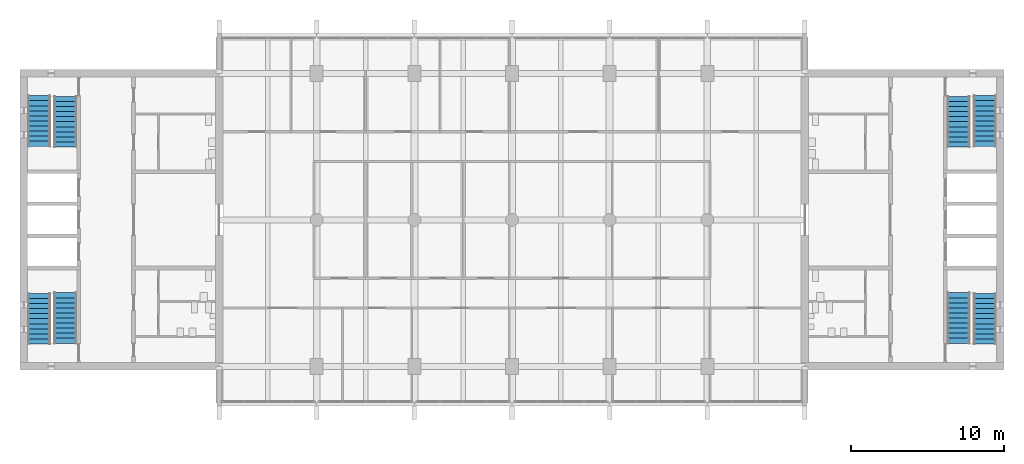
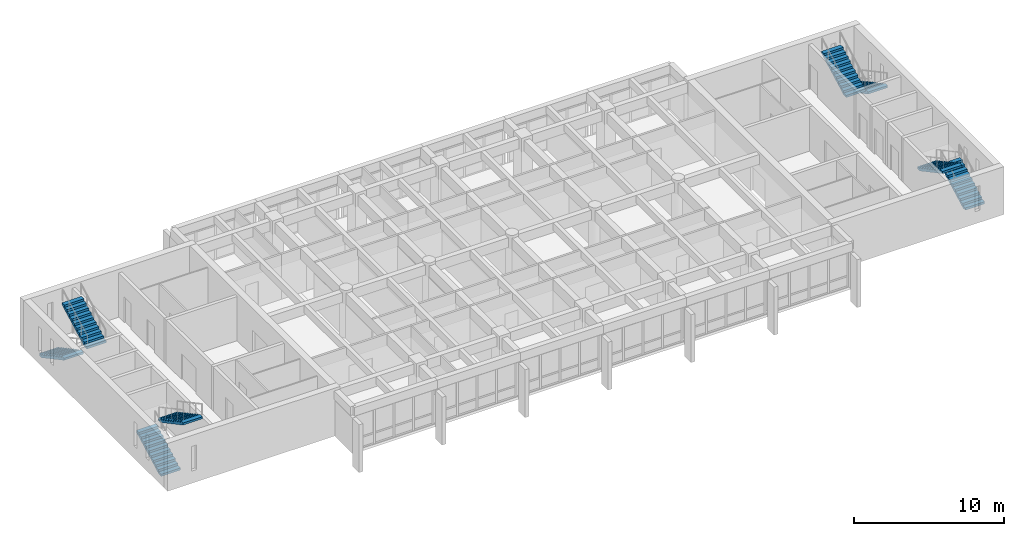
# One storey, part 13 of 15: 8 stair flights, 4 elements without a shape of their own.
"""IFC4 building model written with IfcOpenShell, lengths in metres."""

from ifc_helpers import new_model, si_unit, direction, frame, origin, place, context, subcontext, project, spatial, polyline, outline, extrude, material, type_object, element, aggregate, save


model = new_model("IFC4")

# Units and contexts
model_context = context("Model", 3, precision=1e-05, world=origin(), true_north=direction((0.0, 1.0)))
body_context = subcontext(model_context, "Body", "Model", "MODEL_VIEW")
ifc_project = project(units=[si_unit("LENGTHUNIT", "METRE"), si_unit("AREAUNIT", "SQUARE_METRE"), si_unit("VOLUMEUNIT", "CUBIC_METRE"), si_unit("PLANEANGLEUNIT", "RADIAN"), si_unit("MASSUNIT", "GRAM", prefix="KILO")], contexts=[model_context])

# Site, building, storey
site_placement = place(None, origin())
site = spatial("IfcSite", under=ifc_project, at=site_placement, CompositionType="ELEMENT")
building_placement = place(site_placement, origin())
building = spatial("IfcBuilding", under=site, at=building_placement, Name="Fogon Plaza Fire Station and Headquarters Tower", CompositionType="ELEMENT")
storey_placement = place(building_placement, frame((0.0, 0.0, 52.199951171875)))
storey = spatial("IfcBuildingStorey", under=building, at=storey_placement, Name="L13", CompositionType="ELEMENT", Elevation=52.199951171875)

# Stair, stair flights
ifc_material_1 = material(Name="Concrete C40", Category="concrete")
stair_type = type_object("IfcStairType", Name="Exit Stair Two Flights", PredefinedType="TWO_STRAIGHT_RUN_STAIR", material=ifc_material_1)
stair_1_placement = place(storey_placement, origin())
stair_1 = element("IfcStair", 1, at=stair_1_placement, inside=storey, type_object=stair_type, Name="Stair ST1", PredefinedType="TWO_STRAIGHT_RUN_STAIR")
ifc_material_2 = material(Name="Concrete C40", Category="concrete")
stair_flight_type = type_object("IfcStairFlightType", Name="Stair Flight 11 Risers", PredefinedType="STRAIGHT", material=ifc_material_2)
stair_flight_1_placement = place(storey_placement, frame((13.800048828125, 35.060791015625, 0.0), z_axis=(0.0, 0.0, 1.0), x_axis=(0.0, 1.0, 0.0)))
stair_flight_1 = element("IfcStairFlight", 2, at=stair_flight_1_placement, type_object=stair_flight_type, Name="ST1 flight F29", NumberOfRisers=11, NumberOfTreads=10, PredefinedType="STRAIGHT", RiserHeight=0.177272727, TreadLength=0.3315, context=body_context, shape_type="SweptSolid", body=[
    extrude(outline(polyline([(0.0, 0.0), (0.0, 0.17724609375), (0.33154296875, 0.17724609375), (0.33154296875, 0.3544921875), (0.6630859375, 0.3544921875), (0.6630859375, 0.53173828125), (0.994384765625, 0.53173828125), (0.994384765625, 0.708984375), (1.325927734375, 0.708984375), (1.325927734375, 0.886474609375), (1.657470703125, 0.886474609375), (1.657470703125, 1.063720703125), (1.989013671875, 1.063720703125), (1.989013671875, 1.240966796875), (2.320556640625, 1.240966796875), (2.320556640625, 1.418212890625), (2.652099609375, 1.418212890625), (2.652099609375, 1.595458984375), (2.9833984375, 1.595458984375), (2.9833984375, 1.772705078125), (3.31494140625, 1.772705078125), (3.31494140625, 1.949951171875), (3.31494140625, 1.602783203125), (0.31787109375, 0.0), (0.0, 0.0)])), frame((0.0, 0.75, 0.0), z_axis=(0.0, -1.0, 0.0), x_axis=(1.0, 0.0, 0.0)), (0.0, 0.0, 1.0), 1.5),
])
stair_flight_2_placement = place(storey_placement, frame((15.52490234375, 38.42431640625, 1.949951171875), z_axis=(0.0, 0.0, 1.0), x_axis=(0.0, -1.0, 0.0)))
stair_flight_2 = element("IfcStairFlight", 3, at=stair_flight_2_placement, type_object=stair_flight_type, Name="ST1 flight F30", NumberOfRisers=11, NumberOfTreads=10, PredefinedType="STRAIGHT", RiserHeight=0.177272727, TreadLength=0.3315, context=body_context, shape_type="SweptSolid", body=[
    extrude(outline(polyline([(0.0, 0.0), (0.0, 0.17724609375), (0.33154296875, 0.17724609375), (0.33154296875, 0.3544921875), (0.6630859375, 0.3544921875), (0.6630859375, 0.53173828125), (0.994384765625, 0.53173828125), (0.994384765625, 0.708984375), (1.325927734375, 0.708984375), (1.325927734375, 0.886474609375), (1.657470703125, 0.886474609375), (1.657470703125, 1.063720703125), (1.989013671875, 1.063720703125), (1.989013671875, 1.240966796875), (2.320556640625, 1.240966796875), (2.320556640625, 1.418212890625), (2.652099609375, 1.418212890625), (2.652099609375, 1.595458984375), (2.9833984375, 1.595458984375), (2.9833984375, 1.772705078125), (3.31494140625, 1.772705078125), (3.31494140625, 1.949951171875), (3.31494140625, 1.602783203125), (0.31787109375, 0.0), (0.0, 0.0)])), frame((0.0, 0.75, 0.0), z_axis=(0.0, -1.0, 0.0), x_axis=(1.0, 0.0, 0.0)), (0.0, 0.0, 1.0), 1.5),
])
aggregate(stair_1, [stair_flight_1, stair_flight_2])

stair_2_placement = place(storey_placement, origin())
stair_2 = element("IfcStair", 4, at=stair_2_placement, inside=storey, type_object=stair_type, Name="Stair ST2", PredefinedType="TWO_STRAIGHT_RUN_STAIR")
stair_flight_3_placement = place(storey_placement, frame((13.800048828125, 51.33935546875, 0.0), z_axis=(0.0, 0.0, 1.0), x_axis=(0.0, -1.0, 0.0)))
stair_flight_3 = element("IfcStairFlight", 5, at=stair_flight_3_placement, type_object=stair_flight_type, Name="ST2 flight F29", NumberOfRisers=11, NumberOfTreads=10, PredefinedType="STRAIGHT", RiserHeight=0.177272727, TreadLength=0.3315, context=body_context, shape_type="SweptSolid", body=[
    extrude(outline(polyline([(0.0, 0.0), (0.0, 0.17724609375), (0.33154296875, 0.17724609375), (0.33154296875, 0.3544921875), (0.6630859375, 0.3544921875), (0.6630859375, 0.53173828125), (0.994384765625, 0.53173828125), (0.994384765625, 0.708984375), (1.325927734375, 0.708984375), (1.325927734375, 0.886474609375), (1.657470703125, 0.886474609375), (1.657470703125, 1.063720703125), (1.989013671875, 1.063720703125), (1.989013671875, 1.240966796875), (2.320556640625, 1.240966796875), (2.320556640625, 1.418212890625), (2.652099609375, 1.418212890625), (2.652099609375, 1.595458984375), (2.9833984375, 1.595458984375), (2.9833984375, 1.772705078125), (3.31494140625, 1.772705078125), (3.31494140625, 1.949951171875), (3.31494140625, 1.602783203125), (0.31787109375, 0.0), (0.0, 0.0)])), frame((0.0, 0.75, 0.0), z_axis=(0.0, -1.0, 0.0), x_axis=(1.0, 0.0, 0.0)), (0.0, 0.0, 1.0), 1.5),
])
stair_flight_4_placement = place(storey_placement, frame((15.52490234375, 47.975830078125, 1.949951171875), z_axis=(0.0, 0.0, 1.0), x_axis=(0.0, 1.0, 0.0)))
stair_flight_4 = element("IfcStairFlight", 6, at=stair_flight_4_placement, type_object=stair_flight_type, Name="ST2 flight F30", NumberOfRisers=11, NumberOfTreads=10, PredefinedType="STRAIGHT", RiserHeight=0.177272727, TreadLength=0.3315, context=body_context, shape_type="SweptSolid", body=[
    extrude(outline(polyline([(0.0, 0.0), (0.0, 0.17724609375), (0.33154296875, 0.17724609375), (0.33154296875, 0.3544921875), (0.6630859375, 0.3544921875), (0.6630859375, 0.53173828125), (0.994384765625, 0.53173828125), (0.994384765625, 0.708984375), (1.325927734375, 0.708984375), (1.325927734375, 0.886474609375), (1.657470703125, 0.886474609375), (1.657470703125, 1.063720703125), (1.989013671875, 1.063720703125), (1.989013671875, 1.240966796875), (2.320556640625, 1.240966796875), (2.320556640625, 1.418212890625), (2.652099609375, 1.418212890625), (2.652099609375, 1.595458984375), (2.9833984375, 1.595458984375), (2.9833984375, 1.772705078125), (3.31494140625, 1.772705078125), (3.31494140625, 1.949951171875), (3.31494140625, 1.602783203125), (0.31787109375, 0.0), (0.0, 0.0)])), frame((0.0, 0.75, 0.0), z_axis=(0.0, -1.0, 0.0), x_axis=(1.0, 0.0, 0.0)), (0.0, 0.0, 1.0), 1.5),
])
aggregate(stair_2, [stair_flight_3, stair_flight_4])

stair_3_placement = place(storey_placement, origin())
stair_3 = element("IfcStair", 7, at=stair_3_placement, inside=storey, type_object=stair_type, Name="Stair ST3", PredefinedType="TWO_STRAIGHT_RUN_STAIR")
stair_flight_5_placement = place(storey_placement, frame((75.800048828125, 35.060791015625, 0.0), z_axis=(0.0, 0.0, 1.0), x_axis=(0.0, 1.0, 0.0)))
stair_flight_5 = element("IfcStairFlight", 8, at=stair_flight_5_placement, type_object=stair_flight_type, Name="ST3 flight F29", NumberOfRisers=11, NumberOfTreads=10, PredefinedType="STRAIGHT", RiserHeight=0.177272727, TreadLength=0.3315, context=body_context, shape_type="SweptSolid", body=[
    extrude(outline(polyline([(0.0, 0.0), (0.0, 0.17724609375), (0.33154296875, 0.17724609375), (0.33154296875, 0.3544921875), (0.6630859375, 0.3544921875), (0.6630859375, 0.53173828125), (0.994384765625, 0.53173828125), (0.994384765625, 0.708984375), (1.325927734375, 0.708984375), (1.325927734375, 0.886474609375), (1.657470703125, 0.886474609375), (1.657470703125, 1.063720703125), (1.989013671875, 1.063720703125), (1.989013671875, 1.240966796875), (2.320556640625, 1.240966796875), (2.320556640625, 1.418212890625), (2.652099609375, 1.418212890625), (2.652099609375, 1.595458984375), (2.9833984375, 1.595458984375), (2.9833984375, 1.772705078125), (3.31494140625, 1.772705078125), (3.31494140625, 1.949951171875), (3.31494140625, 1.602783203125), (0.31787109375, 0.0), (0.0, 0.0)])), frame((0.0, 0.75, 0.0), z_axis=(0.0, -1.0, 0.0), x_axis=(1.0, 0.0, 0.0)), (0.0, 0.0, 1.0), 1.5),
])
stair_flight_6_placement = place(storey_placement, frame((74.074951171875, 38.42431640625, 1.949951171875), z_axis=(0.0, 0.0, 1.0), x_axis=(0.0, -1.0, 0.0)))
stair_flight_6 = element("IfcStairFlight", 9, at=stair_flight_6_placement, type_object=stair_flight_type, Name="ST3 flight F30", NumberOfRisers=11, NumberOfTreads=10, PredefinedType="STRAIGHT", RiserHeight=0.177272727, TreadLength=0.3315, context=body_context, shape_type="SweptSolid", body=[
    extrude(outline(polyline([(0.0, 0.0), (0.0, 0.17724609375), (0.33154296875, 0.17724609375), (0.33154296875, 0.3544921875), (0.6630859375, 0.3544921875), (0.6630859375, 0.53173828125), (0.994384765625, 0.53173828125), (0.994384765625, 0.708984375), (1.325927734375, 0.708984375), (1.325927734375, 0.886474609375), (1.657470703125, 0.886474609375), (1.657470703125, 1.063720703125), (1.989013671875, 1.063720703125), (1.989013671875, 1.240966796875), (2.320556640625, 1.240966796875), (2.320556640625, 1.418212890625), (2.652099609375, 1.418212890625), (2.652099609375, 1.595458984375), (2.9833984375, 1.595458984375), (2.9833984375, 1.772705078125), (3.31494140625, 1.772705078125), (3.31494140625, 1.949951171875), (3.31494140625, 1.602783203125), (0.31787109375, 0.0), (0.0, 0.0)])), frame((0.0, 0.75, 0.0), z_axis=(0.0, -1.0, 0.0), x_axis=(1.0, 0.0, 0.0)), (0.0, 0.0, 1.0), 1.5),
])
aggregate(stair_3, [stair_flight_5, stair_flight_6])

stair_4_placement = place(storey_placement, origin())
stair_4 = element("IfcStair", 10, at=stair_4_placement, inside=storey, type_object=stair_type, Name="Stair ST4", PredefinedType="TWO_STRAIGHT_RUN_STAIR")
stair_flight_7_placement = place(storey_placement, frame((75.800048828125, 51.33935546875, 0.0), z_axis=(0.0, 0.0, 1.0), x_axis=(0.0, -1.0, 0.0)))
stair_flight_7 = element("IfcStairFlight", 11, at=stair_flight_7_placement, type_object=stair_flight_type, Name="ST4 flight F29", NumberOfRisers=11, NumberOfTreads=10, PredefinedType="STRAIGHT", RiserHeight=0.177272727, TreadLength=0.3315, context=body_context, shape_type="SweptSolid", body=[
    extrude(outline(polyline([(0.0, 0.0), (0.0, 0.17724609375), (0.33154296875, 0.17724609375), (0.33154296875, 0.3544921875), (0.6630859375, 0.3544921875), (0.6630859375, 0.53173828125), (0.994384765625, 0.53173828125), (0.994384765625, 0.708984375), (1.325927734375, 0.708984375), (1.325927734375, 0.886474609375), (1.657470703125, 0.886474609375), (1.657470703125, 1.063720703125), (1.989013671875, 1.063720703125), (1.989013671875, 1.240966796875), (2.320556640625, 1.240966796875), (2.320556640625, 1.418212890625), (2.652099609375, 1.418212890625), (2.652099609375, 1.595458984375), (2.9833984375, 1.595458984375), (2.9833984375, 1.772705078125), (3.31494140625, 1.772705078125), (3.31494140625, 1.949951171875), (3.31494140625, 1.602783203125), (0.31787109375, 0.0), (0.0, 0.0)])), frame((0.0, 0.75, 0.0), z_axis=(0.0, -1.0, 0.0), x_axis=(1.0, 0.0, 0.0)), (0.0, 0.0, 1.0), 1.5),
])
stair_flight_8_placement = place(storey_placement, frame((74.074951171875, 47.975830078125, 1.949951171875), z_axis=(0.0, 0.0, 1.0), x_axis=(0.0, 1.0, 0.0)))
stair_flight_8 = element("IfcStairFlight", 12, at=stair_flight_8_placement, type_object=stair_flight_type, Name="ST4 flight F30", NumberOfRisers=11, NumberOfTreads=10, PredefinedType="STRAIGHT", RiserHeight=0.177272727, TreadLength=0.3315, context=body_context, shape_type="SweptSolid", body=[
    extrude(outline(polyline([(0.0, 0.0), (0.0, 0.17724609375), (0.33154296875, 0.17724609375), (0.33154296875, 0.3544921875), (0.6630859375, 0.3544921875), (0.6630859375, 0.53173828125), (0.994384765625, 0.53173828125), (0.994384765625, 0.708984375), (1.325927734375, 0.708984375), (1.325927734375, 0.886474609375), (1.657470703125, 0.886474609375), (1.657470703125, 1.063720703125), (1.989013671875, 1.063720703125), (1.989013671875, 1.240966796875), (2.320556640625, 1.240966796875), (2.320556640625, 1.418212890625), (2.652099609375, 1.418212890625), (2.652099609375, 1.595458984375), (2.9833984375, 1.595458984375), (2.9833984375, 1.772705078125), (3.31494140625, 1.772705078125), (3.31494140625, 1.949951171875), (3.31494140625, 1.602783203125), (0.31787109375, 0.0), (0.0, 0.0)])), frame((0.0, 0.75, 0.0), z_axis=(0.0, -1.0, 0.0), x_axis=(1.0, 0.0, 0.0)), (0.0, 0.0, 1.0), 1.5),
])
aggregate(stair_4, [stair_flight_7, stair_flight_8])

save(model, "model.ifc")
